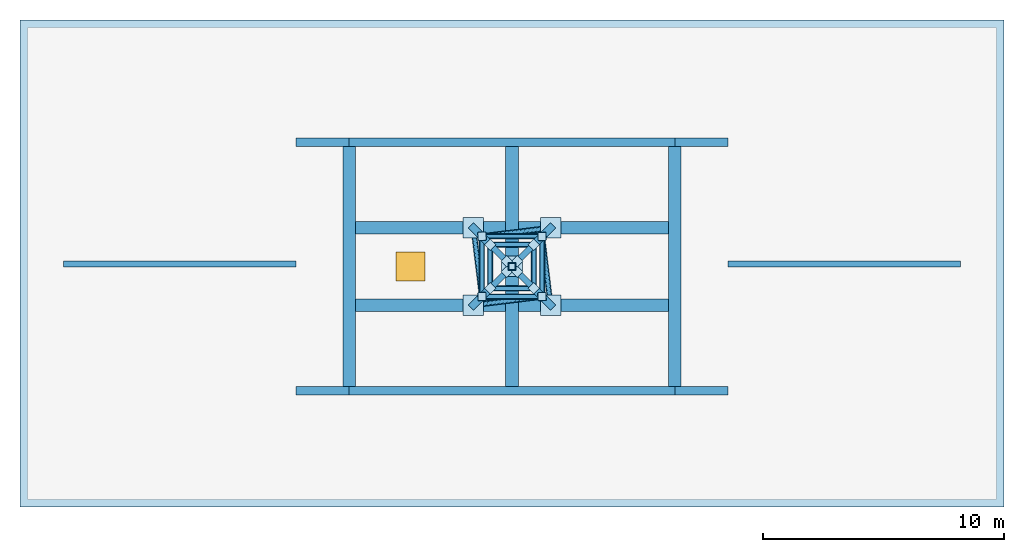
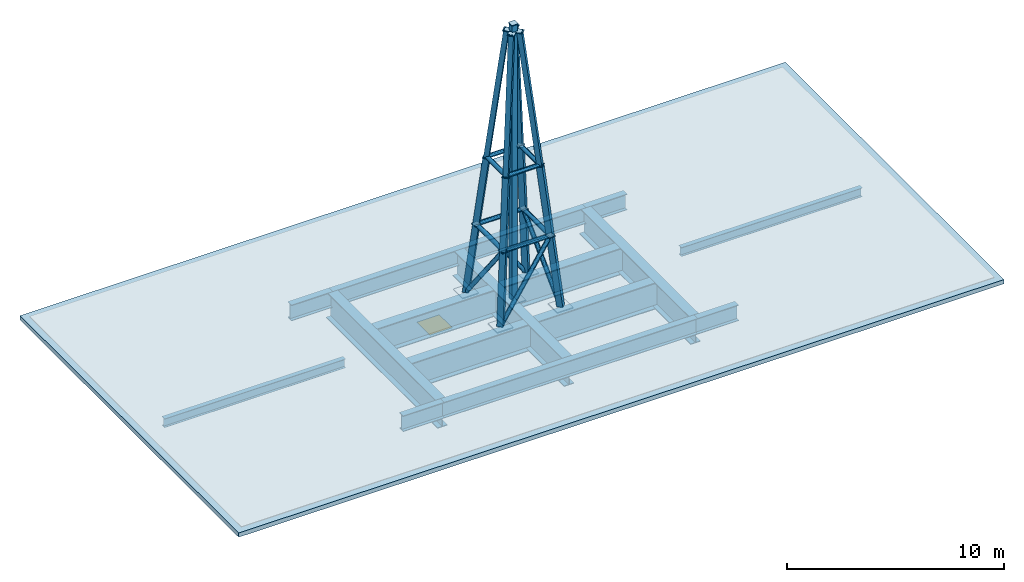
# One storey, part 1 of 2: 22 plates, 21 members, 13 beams, 1 slab, 1 window, 1 opening.
"""IFC4 building model written with IfcOpenShell, lengths in metres."""

from ifc_helpers import new_model, si_unit, direction, frame, origin, origin_with_axes, origin_2d, place, context, subcontext, project, spatial, polyline, rectangle, hollow_rectangle, hollow_circle, i_section, outline, extrude, material, layer, layer_set, material_profile, profile_set, type_object, element, fill, save


model = new_model("IFC4")

# Units and contexts
model_context = context("Model", 3, precision=1e-05, world=origin(), true_north=direction((0.0, 1.0)))
body_context = subcontext(model_context, "Body", "Model", "MODEL_VIEW")
ifc_project = project(units=[si_unit("LENGTHUNIT", "METRE"), si_unit("AREAUNIT", "SQUARE_METRE"), si_unit("VOLUMEUNIT", "CUBIC_METRE"), si_unit("PLANEANGLEUNIT", "RADIAN"), si_unit("MASSUNIT", "GRAM", prefix="KILO")], contexts=[model_context])

# Site, building, storey
site_placement = place(None, origin())
site = spatial("IfcSite", under=ifc_project, at=site_placement, CompositionType="ELEMENT")
building_placement = place(site_placement, origin())
building = spatial("IfcBuilding", under=site, at=building_placement, Name="Velakula Bourse", CompositionType="ELEMENT")
storey_placement = place(building_placement, frame((0.0, 0.0, 312.5)))
storey = spatial("IfcBuildingStorey", under=building, at=storey_placement, Name="RF", CompositionType="ELEMENT", Elevation=312.5)

# Beams
ifc_material_1 = material(Name="Steel IS 2062 Grade 350 (E350)", Category="steel")
ifc_material_profile_1 = material_profile(ifc_material_1, i_section(OverallWidth=0.25, OverallDepth=0.5, WebThickness=0.010009765625, FlangeThickness=0.0146484375, at=origin_2d()), Name="Steel IS 2062 Grade 350 (E350)")
ifc_profile_set_1 = profile_set([ifc_material_profile_1], Name="Steel IS 2062 Grade 350 (E350)")
beam_type_1 = type_object("IfcBeamType", Name="BM-EDG-500", PredefinedType="BEAM", material=ifc_profile_set_1)
for number, where, z_axis, x_axis, name in (
    (1, (-18.60009765625, 0.10009765625, -0.489990234375), (1.0, 0.0, 0.0), (0.0, 1.0, 0.0), "RF Primary Backbone Girder CRW-M"),
    (2, (8.949951171875, 0.10009765625, -0.489990234375), (1.0, 0.0, 0.0), (0.0, 1.0, 0.0), "RF Primary Backbone Girder CRE-M"),
):
    element("IfcBeam", number, at=place(storey_placement, frame(where, z_axis=z_axis, x_axis=x_axis)), inside=storey, type_object=beam_type_1, Name=name, PredefinedType="BEAM", context=body_context, shape_type="SweptSolid", body=[
        extrude(i_section(OverallWidth=0.25, OverallDepth=0.5, WebThickness=0.010009765625, FlangeThickness=0.0146484375, at=origin_2d()), origin(), (0.0, 0.0, 1.0), 9.650146484375),
    ])
ifc_material_profile_2 = material_profile(ifc_material_1, i_section(OverallWidth=0.35009765625, OverallDepth=0.89990234375, WebThickness=0.02001953125, FlangeThickness=0.031982421875, at=origin_2d()), Name="Steel IS 2062 Grade 350 (E350)")
ifc_profile_set_2 = profile_set([ifc_material_profile_2], Name="Steel IS 2062 Grade 350 (E350)")
beam_type_2 = type_object("IfcBeamType", Name="BM-LNK-900", PredefinedType="BEAM", material=ifc_profile_set_2)
beam_1_placement = place(storey_placement, frame((-8.949951171875, -5.14990234375, -0.68994140625), z_axis=(1.0, 0.0, 0.0), x_axis=(0.0, 1.0, 0.0)))
element("IfcBeam", 3, at=beam_1_placement, inside=storey, type_object=beam_type_2, Name="RF Primary Backbone Girder LNK-S1", PredefinedType="BEAM", context=body_context, shape_type="SweptSolid", body=[
    extrude(i_section(OverallWidth=0.35009765625, OverallDepth=0.89990234375, WebThickness=0.02001953125, FlangeThickness=0.031982421875, at=origin_2d()), origin(), (0.0, 0.0, 1.0), 2.199951171875),
])
beam_2_placement = place(storey_placement, frame((-6.75, -5.14990234375, -0.68994140625), z_axis=(1.0, 0.0, 0.0), x_axis=(0.0, 1.0, 0.0)))
element("IfcBeam", 4, at=beam_2_placement, inside=storey, type_object=beam_type_2, Name="RF Primary Backbone Girder LNK-S2", PredefinedType="BEAM", context=body_context, shape_type="SweptSolid", body=[
    extrude(i_section(OverallWidth=0.35009765625, OverallDepth=0.89990234375, WebThickness=0.02001953125, FlangeThickness=0.031982421875, at=origin_2d()), origin(), (0.0, 0.0, 1.0), 13.5),
])
for number, where, z_axis, x_axis, name in (
    (5, (6.75, -5.14990234375, -0.68994140625), (1.0, 0.0, 0.0), (0.0, 1.0, 0.0), "RF Primary Backbone Girder LNK-S3"),
    (6, (-8.949951171875, 5.14990234375, -0.68994140625), (1.0, 0.0, 0.0), (0.0, 1.0, 0.0), "RF Primary Backbone Girder LNK-N1"),
):
    element("IfcBeam", number, at=place(storey_placement, frame(where, z_axis=z_axis, x_axis=x_axis)), inside=storey, type_object=beam_type_2, Name=name, PredefinedType="BEAM", context=body_context, shape_type="SweptSolid", body=[
        extrude(i_section(OverallWidth=0.35009765625, OverallDepth=0.89990234375, WebThickness=0.02001953125, FlangeThickness=0.031982421875, at=origin_2d()), origin(), (0.0, 0.0, 1.0), 2.199951171875),
    ])
beam_3_placement = place(storey_placement, frame((-6.75, 5.14990234375, -0.68994140625), z_axis=(1.0, 0.0, 0.0), x_axis=(0.0, 1.0, 0.0)))
element("IfcBeam", 7, at=beam_3_placement, inside=storey, type_object=beam_type_2, Name="RF Primary Backbone Girder LNK-N2", PredefinedType="BEAM", context=body_context, shape_type="SweptSolid", body=[
    extrude(i_section(OverallWidth=0.35009765625, OverallDepth=0.89990234375, WebThickness=0.02001953125, FlangeThickness=0.031982421875, at=origin_2d()), origin(), (0.0, 0.0, 1.0), 13.5),
])
beam_4_placement = place(storey_placement, frame((6.75, 5.14990234375, -0.68994140625), z_axis=(1.0, 0.0, 0.0), x_axis=(0.0, 1.0, 0.0)))
element("IfcBeam", 8, at=beam_4_placement, inside=storey, type_object=beam_type_2, Name="RF Primary Backbone Girder LNK-N3", PredefinedType="BEAM", context=body_context, shape_type="SweptSolid", body=[
    extrude(i_section(OverallWidth=0.35009765625, OverallDepth=0.89990234375, WebThickness=0.02001953125, FlangeThickness=0.031982421875, at=origin_2d()), origin(), (0.0, 0.0, 1.0), 2.199951171875),
])

# Members
ifc_material_profile_3 = material_profile(ifc_material_1, hollow_circle(Radius=0.109619140625, WallThickness=0.011962890625, at=origin_2d()), Name="Steel IS 2062 Grade 350 (E350)")
ifc_profile_set_3 = profile_set([ifc_material_profile_3], Name="Steel IS 2062 Grade 350 (E350)")
member_type_1 = type_object("IfcMemberType", Name="SP-BRC-219", PredefinedType="USERDEFINED", material=ifc_profile_set_3)
for number, where, z_axis, x_axis, name in (
    (9, (-1.25, -1.25, 3.89990234375), (1.0, 0.0, 0.0), (0.0, 1.0, 0.0), "Needle Spire Horizontal Ring Tie 1.1"),
    (10, (1.25, -1.25, 3.89990234375), (0.0, 1.0, 0.0), (-1.0, 0.0, 0.0), "Needle Spire Horizontal Ring Tie 1.2"),
    (11, (1.25, 1.25, 3.89990234375), (-1.0, 0.0, 0.0), (0.0, -1.0, 0.0), "Needle Spire Horizontal Ring Tie 1.3"),
    (12, (-1.25, 1.25, 3.89990234375), (0.0, -1.0, 0.0), (1.0, 0.0, 0.0), "Needle Spire Horizontal Ring Tie 1.4"),
):
    element("IfcMember", number, at=place(storey_placement, frame(where, z_axis=z_axis, x_axis=x_axis)), inside=storey, type_object=member_type_1, Name=name, ObjectType="SPIRE", PredefinedType="USERDEFINED", context=body_context, shape_type="SweptSolid", body=[
        extrude(hollow_circle(Radius=0.109619140625, WallThickness=0.011962890625, at=origin_2d()), origin(), (0.0, 0.0, 1.0), 2.5),
    ])
for number, where, z_axis, x_axis, name in (
    (13, (-0.89990234375, -0.89990234375, 7.800048828125), (1.0, 0.0, 0.0), (0.0, 1.0, 0.0), "Needle Spire Horizontal Ring Tie 2.1"),
    (14, (0.89990234375, -0.89990234375, 7.800048828125), (0.0, 1.0, 0.0), (-1.0, 0.0, 0.0), "Needle Spire Horizontal Ring Tie 2.2"),
    (15, (0.89990234375, 0.89990234375, 7.800048828125), (-1.0, 0.0, 0.0), (0.0, -1.0, 0.0), "Needle Spire Horizontal Ring Tie 2.3"),
    (16, (-0.89990234375, 0.89990234375, 7.800048828125), (0.0, -1.0, 0.0), (1.0, 0.0, 0.0), "Needle Spire Horizontal Ring Tie 2.4"),
):
    element("IfcMember", number, at=place(storey_placement, frame(where, z_axis=z_axis, x_axis=x_axis)), inside=storey, type_object=member_type_1, Name=name, ObjectType="SPIRE", PredefinedType="USERDEFINED", context=body_context, shape_type="SweptSolid", body=[
        extrude(hollow_circle(Radius=0.109619140625, WallThickness=0.011962890625, at=origin_2d()), origin(), (0.0, 0.0, 1.0), 1.7998046875),
    ])
for number, where, z_axis, x_axis, name in (
    (17, (-1.60009765625, -1.60009765625, 0.0), (0.588495691799, 0.072289088748, 0.805262136439), (-0.121920690313, 0.992539845686, 0.0), "Needle Spire Diagonal Brace 1"),
    (18, (1.60009765625, -1.60009765625, 0.0), (-0.072289088748, 0.588495691799, 0.805262136439), (-0.992539845686, -0.121920690313, 0.0), "Needle Spire Diagonal Brace 2"),
    (19, (1.60009765625, 1.60009765625, 0.0), (-0.588495691799, -0.072289088748, 0.805262136439), (0.121920690313, -0.992539845686, 0.0), "Needle Spire Diagonal Brace 3"),
    (20, (-1.60009765625, 1.60009765625, 0.0), (0.072289088748, -0.588495691799, 0.805262136439), (0.992539845686, 0.121920690313, 0.0), "Needle Spire Diagonal Brace 4"),
):
    element("IfcMember", number, at=place(storey_placement, frame(where, z_axis=z_axis, x_axis=x_axis)), inside=storey, type_object=member_type_1, Name=name, ObjectType="SPIRE", PredefinedType="USERDEFINED", context=body_context, shape_type="SweptSolid", body=[
        extrude(hollow_circle(Radius=0.109619140625, WallThickness=0.011962890625, at=origin_2d()), origin(), (0.0, 0.0, 1.0), 4.843017578125),
    ])
ifc_material_profile_4 = material_profile(ifc_material_1, hollow_rectangle(XDim=0.25, YDim=0.25, WallThickness=0.013916015625, at=origin_2d()), Name="Steel IS 2062 Grade 350 (E350)")
ifc_profile_set_4 = profile_set([ifc_material_profile_4], Name="Steel IS 2062 Grade 350 (E350)")
member_type_2 = type_object("IfcMemberType", Name="SP-LEG-250", PredefinedType="USERDEFINED", material=ifc_profile_set_4)
for number, where, z_axis, x_axis, name in (
    (21, (-0.89990234375, -0.89990234375, 7.800048828125), (0.091727871854, 0.091727871854, 0.9915502988), (-0.707106781187, 0.707106781187, 0.0), "Needle Spire Upper Leg SL1"),
    (22, (0.89990234375, -0.89990234375, 7.800048828125), (-0.091727871854, 0.091727871854, 0.9915502988), (-0.707106781187, -0.707106781187, 0.0), "Needle Spire Upper Leg SL2"),
    (23, (0.89990234375, 0.89990234375, 7.800048828125), (-0.091727871854, -0.091727871854, 0.9915502988), (0.707106781187, -0.707106781187, 0.0), "Needle Spire Upper Leg SL3"),
    (24, (-0.89990234375, 0.89990234375, 7.800048828125), (0.091727871854, -0.091727871854, 0.9915502988), (0.707106781187, 0.707106781187, 0.0), "Needle Spire Upper Leg SL4"),
):
    element("IfcMember", number, at=place(storey_placement, frame(where, z_axis=z_axis, x_axis=x_axis)), inside=storey, type_object=member_type_2, Name=name, ObjectType="SPIRE", PredefinedType="USERDEFINED", context=body_context, shape_type="SweptSolid", body=[
        extrude(hollow_rectangle(XDim=0.25, YDim=0.25, WallThickness=0.013916015625, at=origin_2d()), origin(), (0.0, 0.0, 1.0), 7.41259765625),
    ])
ifc_material_profile_5 = material_profile(ifc_material_1, hollow_rectangle(XDim=0.300048828125, YDim=0.300048828125, WallThickness=0.01611328125, at=origin_2d()), Name="Steel IS 2062 Grade 350 (E350)")
ifc_profile_set_5 = profile_set([ifc_material_profile_5], Name="Steel IS 2062 Grade 350 (E350)")
member_type_3 = type_object("IfcMemberType", Name="SP-LEG-300", PredefinedType="USERDEFINED", material=ifc_profile_set_5)
member_placement = place(storey_placement, origin_with_axes())
element("IfcMember", 25, at=member_placement, inside=storey, type_object=member_type_3, Name="RF Central Tapered Steel Needle Spire Mast SL1", ObjectType="SPIRE", PredefinedType="USERDEFINED", context=body_context, shape_type="SweptSolid", body=[
    extrude(hollow_rectangle(XDim=0.300048828125, YDim=0.300048828125, WallThickness=0.01611328125, at=origin_2d()), origin(), (0.0, 0.0, 1.0), 15.550048828125),
])
for number, where, z_axis, x_axis, name in (
    (26, (-1.60009765625, -1.60009765625, 0.0), (0.089053317305, 0.089053317305, 0.99203780843), (-0.707106781187, 0.707106781187, 0.0), "Needle Spire Lower Leg SL1"),
    (27, (1.60009765625, -1.60009765625, 0.0), (-0.089053317305, 0.089053317305, 0.99203780843), (-0.707106781187, -0.707106781187, 0.0), "Needle Spire Lower Leg SL2"),
    (28, (1.60009765625, 1.60009765625, 0.0), (-0.089053317305, -0.089053317305, 0.99203780843), (0.707106781187, -0.707106781187, 0.0), "Needle Spire Lower Leg SL3"),
    (29, (-1.60009765625, 1.60009765625, 0.0), (0.089053317305, -0.089053317305, 0.99203780843), (0.707106781187, 0.707106781187, 0.0), "Needle Spire Lower Leg SL4"),
):
    element("IfcMember", number, at=place(storey_placement, frame(where, z_axis=z_axis, x_axis=x_axis)), inside=storey, type_object=member_type_3, Name=name, ObjectType="SPIRE", PredefinedType="USERDEFINED", context=body_context, shape_type="SweptSolid", body=[
        extrude(hollow_rectangle(XDim=0.300048828125, YDim=0.300048828125, WallThickness=0.01611328125, at=origin_2d()), origin(), (0.0, 0.0, 1.0), 7.862548828125),
    ])

# Beams
ifc_material_2 = material(Name="Steel IS 2062 Grade 450 (E450)", Category="steel")
ifc_material_profile_6 = material_profile(ifc_material_2, i_section(OverallWidth=0.52001953125, OverallDepth=1.5, WebThickness=0.030029296875, FlangeThickness=0.048095703125, at=origin_2d()), Name="Steel IS 2062 Grade 450 (E450)")
ifc_profile_set_6 = profile_set([ifc_material_profile_6], Name="Steel IS 2062 Grade 450 (E450)")
beam_type_3 = type_object("IfcBeamType", Name="TB-CANT-1500", PredefinedType="BEAM", material=ifc_profile_set_6)
for number, where, z_axis, x_axis, name in (
    (30, (-6.75, -5.14990234375, -0.989990234375), (0.0, 1.0, 0.0), (-1.0, 0.0, 0.0), "RF Crown Needle Spire Transfer Girder BM-RF-SPIRE-TRF-W"),
    (31, (6.75, -5.14990234375, -0.989990234375), (0.0, 1.0, 0.0), (-1.0, 0.0, 0.0), "RF Crown Needle Spire Transfer Girder BM-RF-SPIRE-TRF-E"),
):
    element("IfcBeam", number, at=place(storey_placement, frame(where, z_axis=z_axis, x_axis=x_axis)), inside=storey, type_object=beam_type_3, Name=name, PredefinedType="BEAM", context=body_context, shape_type="SweptSolid", body=[
        extrude(i_section(OverallWidth=0.52001953125, OverallDepth=1.5, WebThickness=0.030029296875, FlangeThickness=0.048095703125, at=origin_2d()), origin(), (0.0, 0.0, 1.0), 10.2998046875),
    ])
for number, where, z_axis, x_axis, name in (
    (32, (-6.75, -1.60009765625, -0.989990234375), (1.0, 0.0, 0.0), (0.0, 1.0, 0.0), "RF Crown Needle Spire Transfer Girder BM-RF-SPIRE-TRF-S"),
    (33, (-6.75, 1.60009765625, -0.989990234375), (1.0, 0.0, 0.0), (0.0, 1.0, 0.0), "RF Crown Needle Spire Transfer Girder BM-RF-SPIRE-TRF-N"),
):
    element("IfcBeam", number, at=place(storey_placement, frame(where, z_axis=z_axis, x_axis=x_axis)), inside=storey, type_object=beam_type_3, Name=name, PredefinedType="BEAM", context=body_context, shape_type="SweptSolid", body=[
        extrude(i_section(OverallWidth=0.52001953125, OverallDepth=1.5, WebThickness=0.030029296875, FlangeThickness=0.048095703125, at=origin_2d()), origin(), (0.0, 0.0, 1.0), 13.5),
    ])
beam_5_placement = place(storey_placement, frame((0.0, -5.14990234375, -0.989990234375), z_axis=(0.0, 1.0, 0.0), x_axis=(-1.0, 0.0, 0.0)))
element("IfcBeam", 34, at=beam_5_placement, inside=storey, type_object=beam_type_3, Name="RF Crown Needle Spire Transfer Girder BM-RF-SPIRE-TRF-C", PredefinedType="BEAM", context=body_context, shape_type="SweptSolid", body=[
    extrude(i_section(OverallWidth=0.52001953125, OverallDepth=1.5, WebThickness=0.030029296875, FlangeThickness=0.048095703125, at=origin_2d()), origin(), (0.0, 0.0, 1.0), 10.2998046875),
])

# Plates
ifc_layer_1 = layer(ifc_material_1, 0.0400390625, Name="Steel IS 2062 Grade 350 (E350)", Category="steel")
ifc_layer_set_1 = layer_set([ifc_layer_1], Name="Steel IS 2062 Grade 350 (E350)")
plate_type_1 = type_object("IfcPlateType", Name="PLT-ENDCAP-340", PredefinedType="USERDEFINED", material=ifc_layer_set_1)
for number, where, z_axis, x_axis, name in (
    (35, (0.0, 0.0, 15.51806640625), (0.0, 0.0, 1.0), (1.0, 0.0, 0.0), "RF Central Tapered Steel Needle Spire Mast SL1 hollow end cap plate 2"),
    (36, (-0.901123046875, -0.901123046875, 7.76806640625), (0.0, 0.0, 1.0), (0.707106781187, 0.707106781187, 0.0), "Needle Spire Lower Leg SL1 hollow end cap plate 2"),
    (37, (-0.22119140625, -0.22119140625, 15.1181640625), (0.0, 0.0, 1.0), (0.707106781187, 0.707106781187, 0.0), "Needle Spire Upper Leg SL1 hollow end cap plate 2"),
    (38, (0.901123046875, -0.901123046875, 7.76806640625), (0.0, 0.0, 1.0), (-0.707106781187, 0.707106781187, 0.0), "Needle Spire Lower Leg SL2 hollow end cap plate 2"),
    (39, (0.22119140625, -0.22119140625, 15.1181640625), (0.0, 0.0, 1.0), (-0.707106781187, 0.707106781187, 0.0), "Needle Spire Upper Leg SL2 hollow end cap plate 2"),
    (40, (0.901123046875, 0.901123046875, 7.76806640625), (0.0, 0.0, 1.0), (-0.707106781187, -0.707106781187, 0.0), "Needle Spire Lower Leg SL3 hollow end cap plate 2"),
    (41, (0.22119140625, 0.22119140625, 15.1181640625), (0.0, 0.0, 1.0), (-0.707106781187, -0.707106781187, 0.0), "Needle Spire Upper Leg SL3 hollow end cap plate 2"),
    (42, (-0.901123046875, 0.901123046875, 7.76806640625), (0.0, 0.0, 1.0), (0.707106781187, -0.707106781187, 0.0), "Needle Spire Lower Leg SL4 hollow end cap plate 2"),
    (43, (-0.22119140625, 0.22119140625, 15.1181640625), (0.0, 0.0, 1.0), (0.707106781187, -0.707106781187, 0.0), "Needle Spire Upper Leg SL4 hollow end cap plate 2"),
    (44, (-1.238037109375, -1.25, 3.8798828125), (0.0, 0.0, 1.0), (1.0, 0.0, 0.0), "Needle Spire Horizontal Ring Tie 1.1 hollow end cap plate 1"),
    (45, (1.238037109375, -1.25, 3.8798828125), (0.0, 0.0, 1.0), (1.0, 0.0, 0.0), "Needle Spire Horizontal Ring Tie 1.1 hollow end cap plate 2"),
    (46, (1.25, 1.238037109375, 3.8798828125), (0.0, 0.0, 1.0), (0.0, 1.0, 0.0), "Needle Spire Horizontal Ring Tie 1.2 hollow end cap plate 2"),
    (47, (-1.238037109375, 1.25, 3.8798828125), (0.0, 0.0, 1.0), (-1.0, 0.0, 0.0), "Needle Spire Horizontal Ring Tie 1.3 hollow end cap plate 2"),
    (48, (1.242919921875, -1.2509765625, 3.870361328125), (0.0, 0.0, 1.0), (0.992544024469, 0.121886666585, 0.0), "Needle Spire Diagonal Brace 1 hollow end cap plate 2"),
    (49, (1.2509765625, 1.242919921875, 3.870361328125), (0.0, 0.0, 1.0), (-0.121886666585, 0.992544024469, 0.0), "Needle Spire Diagonal Brace 2 hollow end cap plate 2"),
    (50, (-1.242919921875, 1.2509765625, 3.870361328125), (0.0, 0.0, 1.0), (-0.992544024469, -0.121886666585, 0.0), "Needle Spire Diagonal Brace 3 hollow end cap plate 2"),
    (51, (-1.2509765625, -1.242919921875, 3.870361328125), (0.0, 0.0, 1.0), (0.121886666585, -0.992544024469, 0.0), "Needle Spire Diagonal Brace 4 hollow end cap plate 2"),
):
    element("IfcPlate", number, at=place(storey_placement, frame(where, z_axis=z_axis, x_axis=x_axis)), inside=storey, type_object=plate_type_1, Name=name, ObjectType="GUSSET PLATE", PredefinedType="USERDEFINED", context=body_context, shape_type="SweptSolid", body=[
        extrude(rectangle(XDim=0.340087890625, YDim=0.340087890625, at=origin_2d()), origin(), (0.0, 0.0, 1.0), 0.0400390625),
    ])
ifc_layer_2 = layer(ifc_material_1, 0.0400390625, Name="Steel IS 2062 Grade 350 (E350)", Category="steel")
ifc_layer_set_2 = layer_set([ifc_layer_2], Name="Steel IS 2062 Grade 350 (E350)")
plate_type_2 = type_object("IfcPlateType", Name="PLT-SPIRE-BASE", PredefinedType="USERDEFINED", material=ifc_layer_set_2)
for number, where, z_axis, x_axis, name in (
    (52, (-1.60009765625, -1.60009765625, 0.0), (0.0, 0.0, 1.0), (1.0, 0.0, 0.0), "SL1 Spire Leg Base Plate BP-SL1 on Crown Transfer Girder"),
    (53, (1.60009765625, -1.60009765625, 0.0), (0.0, 0.0, 1.0), (1.0, 0.0, 0.0), "SL2 Spire Leg Base Plate BP-SL1 on Crown Transfer Girder"),
    (54, (1.60009765625, 1.60009765625, 0.0), (0.0, 0.0, 1.0), (1.0, 0.0, 0.0), "SL3 Spire Leg Base Plate BP-SL1 on Crown Transfer Girder"),
    (55, (-1.60009765625, 1.60009765625, 0.0), (0.0, 0.0, 1.0), (1.0, 0.0, 0.0), "SL4 Spire Leg Base Plate BP-SL1 on Crown Transfer Girder"),
    (56, (0.0, 0.0, 0.0), (0.0, 0.0, 1.0), (1.0, 0.0, 0.0), "Central Needle Spire Mast Base Plate BP-SL1"),
):
    element("IfcPlate", number, at=place(storey_placement, frame(where, z_axis=z_axis, x_axis=x_axis)), inside=storey, type_object=plate_type_2, Name=name, ObjectType="GUSSET PLATE", PredefinedType="USERDEFINED", context=body_context, shape_type="SweptSolid", body=[
        extrude(rectangle(XDim=0.85009765625, YDim=0.85009765625, at=origin_2d()), origin(), (0.0, 0.0, 1.0), 0.0400390625),
    ])

# Slab, opening, window
ifc_material_3 = material(Name="Concrete M50 (fck 50 MPa)", Category="concrete")
ifc_layer_3 = layer(ifc_material_3, 0.239990234375, Name="Concrete M50 (fck 50 MPa)", Category="concrete")
ifc_layer_set_3 = layer_set([ifc_layer_3], Name="Concrete M50 (fck 50 MPa)")
slab_type = type_object("IfcSlabType", Name="SLB-CRN-ROOF-240", PredefinedType="ROOF", material=ifc_layer_set_3)
slab_placement = place(storey_placement, frame((0.0, 0.0, -0.239990234375)))
slab = element("IfcSlab", 57, at=slab_placement, inside=storey, type_object=slab_type, Name="RF Main Crown Closed Cap Roof Slab", PredefinedType="ROOF", context=body_context, shape_type="SweptSolid", body=[
    extrude(outline(polyline([(-20.39990234375, -9.97998046875), (20.39990234375, -9.97998046875), (20.39990234375, 10.219970703125), (-20.39990234375, 10.219970703125), (-20.39990234375, -9.97998046875)])), origin(), (0.0, 0.0, 1.0), 0.239990234375),
])
opening_placement = place(slab_placement, frame((-4.199951171875, 0.0, -0.010009765625)))
opening = element("IfcOpeningElement", 58, at=opening_placement, cuts=slab, Name="Opening WH-RF1", PredefinedType="OPENING", context=body_context, shape_type="SweptSolid", body=[
    extrude(rectangle(XDim=1.199951171875, YDim=1.199951171875, at=origin_2d()), origin(), (0.0, 0.0, 1.0), 0.260009765625),
])
ifc_material_4 = material(Name="Double-glazed solar-control Low-E glass", Category="glass")
window_type = type_object("IfcWindowType", Name="SKL-RF-1200x1200", PartitioningType="SINGLE_PANEL", PredefinedType="SKYLIGHT", material=ifc_material_4)
window_placement = place(slab_placement, frame((-4.199951171875, 0.0, 0.18994140625)))
window = element("IfcWindow", 59, at=window_placement, inside=storey, type_object=window_type, Name="ROOF ACCESS HATCH WH-RF1", OverallHeight=1.199951171875, OverallWidth=1.199951171875, PartitioningType="SINGLE_PANEL", PredefinedType="SKYLIGHT", context=body_context, shape_type="SweptSolid", body=[
    extrude(rectangle(XDim=1.199951171875, YDim=1.199951171875, at=origin_2d()), origin(), (0.0, 0.0, 1.0), 0.050048828125),
])
fill(opening, window)

save(model, "model.ifc")
